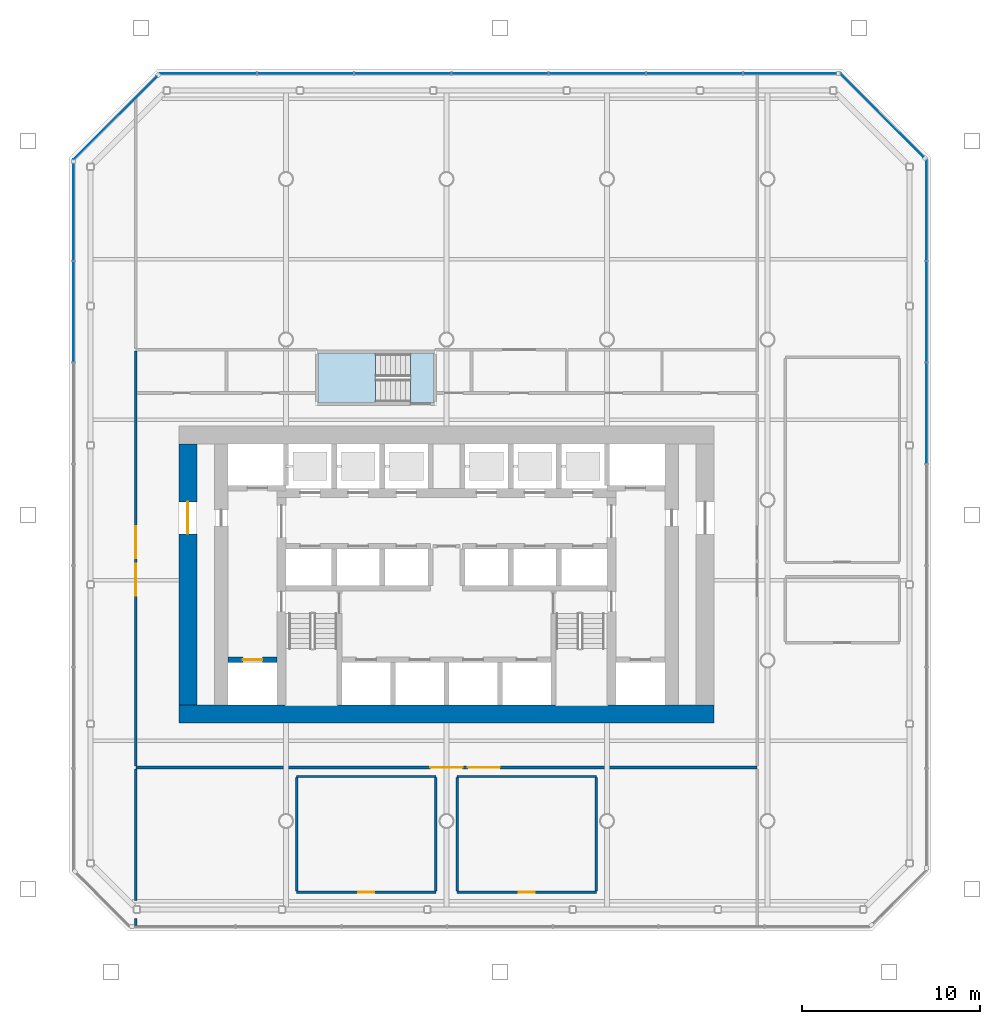
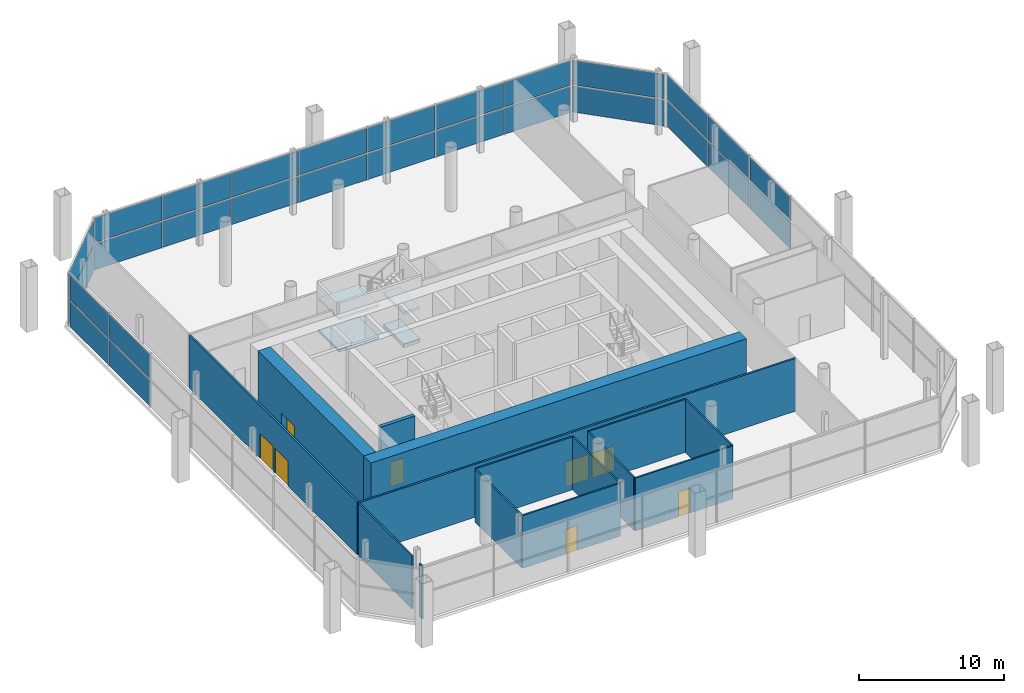
# One storey, part 8 of 13: 28 plates, 15 walls, 8 doors, 4 slabs, 8 openings, 6 elements without a shape of their own.
"""IFC4 building model written with IfcOpenShell, lengths in metres."""

import ifcopenshell
import ifcopenshell.guid

model = None  # the IFC model being written
_history = None  # IfcOwnerHistory: only IFC2X3 demands one
_inside = {}  # id of a spatial element -> (the spatial element, [elements in it])
_under = {}  # id of a project, library or spatial element -> (it, [spatial elements below it])
_declared = {}  # id of a project -> (the project, [libraries it declares])
_typed = {}  # id of a type object -> (the type object, [elements of that type])
_made_of = {}  # id of a material, layer set ... -> (it, [elements and type objects made of it])


def new_model(schema):
    """Start an empty IFC model of exactly this schema.

    Asked for "IFC4X3", IfcOpenShell would pick the latest addendum, in which some entities
    have other attributes; the version numbers below select the first issue.
    IFC2X3 requires an IfcOwnerHistory on every rooted entity: one is made here for all.
    """
    global model, _history
    if schema == "IFC4X3":
        model = ifcopenshell.file(schema_version=(4, 3, 0, 0))
    else:
        model = ifcopenshell.file(schema=schema)
    _inside.clear()
    _under.clear()
    _declared.clear()
    _typed.clear()
    _made_of.clear()
    _history = None
    if model.schema == "IFC2X3":
        org = make("IfcOrganization", Name="unknown")
        user = make(
            "IfcPersonAndOrganization",
            ThePerson=make("IfcPerson", FamilyName="unknown"),
            TheOrganization=org,
        )
        app = make(
            "IfcApplication",
            ApplicationDeveloper=org,
            Version="unknown",
            ApplicationFullName="unknown",
            ApplicationIdentifier="unknown",
        )
        _history = make(
            "IfcOwnerHistory",
            OwningUser=user,
            OwningApplication=app,
            ChangeAction="ADDED",
            CreationDate=0,
        )
    return model


def make(cls, **values):
    """One entity of the class cls with the attributes given. An attribute that is None is left unset."""
    return model.create_entity(
        cls, **{name: value for name, value in values.items() if value is not None}
    )


def rooted(cls, **values):
    """An entity with a GlobalId (a new one), such as an element, a storey or a relation."""
    return make(cls, GlobalId=ifcopenshell.guid.new(), OwnerHistory=_history, **values)


def si_unit(unit_type, name, prefix=None):
    """IfcSIUnit, for example si_unit("LENGTHUNIT", "METRE", prefix="MILLI")."""
    return make("IfcSIUnit", UnitType=unit_type, Prefix=prefix, Name=name)


def assignment(units):
    """IfcUnitAssignment: the units of a project."""
    return None if units is None else make("IfcUnitAssignment", Units=units)


def point(xyz):
    """IfcCartesianPoint."""
    return None if xyz is None else make("IfcCartesianPoint", Coordinates=xyz)


def direction(xyz):
    """IfcDirection."""
    return None if xyz is None else make("IfcDirection", DirectionRatios=xyz)


def frame(location, z_axis=None, x_axis=None):
    """IfcAxis2Placement3D, a coordinate frame: its origin and axes. An axis left out is left unset."""
    return make(
        "IfcAxis2Placement3D",
        Location=point(location),
        Axis=direction(z_axis),
        RefDirection=direction(x_axis),
    )


def frame_2d(location, x_axis=None):
    """IfcAxis2Placement2D, a coordinate frame in the plane: its origin and x axis."""
    return make(
        "IfcAxis2Placement2D", Location=point(location), RefDirection=direction(x_axis)
    )


def origin():
    """The frame at (0, 0, 0) with its axes left unset."""
    return frame((0.0, 0.0, 0.0))


def origin_2d():
    """The frame at (0, 0) in the plane with its x axis left unset."""
    return frame_2d((0.0, 0.0))


def place(relative_to, where):
    """IfcLocalPlacement: puts the frame where relative to a parent placement (None: the world)."""
    return make(
        "IfcLocalPlacement", PlacementRelTo=relative_to, RelativePlacement=where
    )


def context(
    kind, dimensions, precision=None, world=None, true_north=None, identifier=None
):
    """IfcGeometricRepresentationContext, for example the 3D "Model" context."""
    return make(
        "IfcGeometricRepresentationContext",
        ContextIdentifier=identifier,
        ContextType=kind,
        CoordinateSpaceDimension=dimensions,
        Precision=precision,
        WorldCoordinateSystem=world,
        TrueNorth=true_north,
    )


def subcontext(parent, identifier, kind, view, scale=None):
    """IfcGeometricRepresentationSubContext, for example "Body" below "Model"."""
    return make(
        "IfcGeometricRepresentationSubContext",
        ContextIdentifier=identifier,
        ContextType=kind,
        ParentContext=parent,
        TargetScale=scale,
        TargetView=view,
    )


def project(units=None, contexts=None):
    """IfcProject with its units and contexts."""
    return rooted(
        "IfcProject",
        Name="project",
        RepresentationContexts=contexts,
        UnitsInContext=assignment(units),
    )


def spatial(cls, under=None, at=None, **own):
    """A site, building, storey or space (cls), placed at a placement, below another one or the project."""
    s = rooted(cls, ObjectPlacement=at, **own)
    if under is not None:
        _under.setdefault(under.id(), (under, []))[1].append(s)
    return s


def polyline(points):
    """IfcPolyline through the points."""
    return make("IfcPolyline", Points=[point(p) for p in points])


def profile(cls, at=None, kind="AREA", **sizes):
    """A parametric profile (cls). Its sizes go by their IFC names, for example OverallWidth=200.0."""
    return make(cls, ProfileType=kind, Position=at, **sizes)


def rectangle(**sizes):
    """IfcRectangleProfileDef."""
    return profile("IfcRectangleProfileDef", **sizes)


def outline(outer, holes=None, kind="AREA"):
    """IfcArbitraryClosedProfileDef: a profile drawn as a closed curve; with holes, ...WithVoids."""
    if holes is None:
        return make("IfcArbitraryClosedProfileDef", ProfileType=kind, OuterCurve=outer)
    return make(
        "IfcArbitraryProfileDefWithVoids",
        ProfileType=kind,
        OuterCurve=outer,
        InnerCurves=holes,
    )


def extrude(swept, where, along, depth):
    """IfcExtrudedAreaSolid: the profile swept, set in the frame where, extruded along a direction by depth."""
    return make(
        "IfcExtrudedAreaSolid",
        SweptArea=swept,
        Position=where,
        ExtrudedDirection=direction(along),
        Depth=depth,
    )


def shape(context_of_items, identifier, shape_type, items):
    """IfcShapeRepresentation: the items that make up one representation, for example the "Body"."""
    return make(
        "IfcShapeRepresentation",
        ContextOfItems=context_of_items,
        RepresentationIdentifier=identifier,
        RepresentationType=shape_type,
        Items=items,
    )


def material(Name=None, Category=None):
    """IfcMaterial."""
    return make("IfcMaterial", Name=Name, Category=Category)


def layer(
    of_material, thickness, ventilated=None, Name=None, Category=None, Priority=None
):
    """IfcMaterialLayer: one layer of a wall or slab, of a material (None: an air gap)."""
    return make(
        "IfcMaterialLayer",
        Material=of_material,
        LayerThickness=thickness,
        IsVentilated=ventilated,
        Name=Name,
        Category=Category,
        Priority=Priority,
    )


def layer_set(layers, Name=None):
    """IfcMaterialLayerSet."""
    return make("IfcMaterialLayerSet", MaterialLayers=layers, LayerSetName=Name)


def made_of(thing, what):
    """Note that an element or type object is made of a material, layer set ...; save() writes the relation."""
    if what is not None:
        _made_of.setdefault(what.id(), (what, []))[1].append(thing)
    return thing


def type_object(cls, material=None, **own):
    """A type object (cls), such as IfcWallType, which elements share."""
    return made_of(rooted(cls, **own), material)


def element(
    cls,
    number,
    at=None,
    inside=None,
    cuts=None,
    type_object=None,
    material=None,
    context=None,
    identifier="Body",
    shape_type=None,
    held_by="IfcProductDefinitionShape",
    body=None,
    shapes=None,
    **own,
):
    """One element of the class cls, such as IfcWall. Its Tag is "e" and its number.

    at: its placement. inside: the storey or other place that contains it. cuts: it is an
    opening in that element (IfcRelVoidsElement). A single representation is given by context,
    identifier, shape_type and body (its items); several are given by shapes. held_by: the class
    of the entity that holds the representations. save() writes the other relations.
    """
    e = rooted(cls, Tag="e%d" % number, ObjectPlacement=at, **own)
    if body is not None:
        shapes = [shape(context, identifier, shape_type, body)]
    if shapes is not None:
        e.Representation = make(held_by, Representations=shapes)
    if inside is not None:
        _inside.setdefault(inside.id(), (inside, []))[1].append(e)
    if cuts is not None:
        rooted(
            "IfcRelVoidsElement", RelatingBuildingElement=cuts, RelatedOpeningElement=e
        )
    if type_object is not None:
        _typed.setdefault(type_object.id(), (type_object, []))[1].append(e)
    return made_of(e, material)


def fill(opening, filler):
    """IfcRelFillsElement: the door or window that sits in an opening."""
    return rooted(
        "IfcRelFillsElement",
        RelatingOpeningElement=opening,
        RelatedBuildingElement=filler,
    )


def aggregate(whole, parts):
    """IfcRelAggregates: a whole, such as a stair, and the parts it consists of."""
    return rooted("IfcRelAggregates", RelatingObject=whole, RelatedObjects=parts)


def save(model, path):
    """Write the relations noted so far, then the file.

    IfcRelAggregates (storeys below a building ...), IfcRelContainedInSpatialStructure (elements
    in a storey), IfcRelDefinesByType, IfcRelAssociatesMaterial and IfcRelDeclares: one each for
    every whole, place, type object, material and project.
    """
    for whole, parts in _under.values():
        aggregate(whole, parts)
    for where, things in _inside.values():
        rooted(
            "IfcRelContainedInSpatialStructure",
            RelatedElements=things,
            RelatingStructure=where,
        )
    for kind, things in _typed.values():
        rooted("IfcRelDefinesByType", RelatedObjects=things, RelatingType=kind)
    for what, things in _made_of.values():
        rooted("IfcRelAssociatesMaterial", RelatedObjects=things, RelatingMaterial=what)
    for by, libraries in _declared.values():
        rooted("IfcRelDeclares", RelatingContext=by, RelatedDefinitions=libraries)
    model.write(path)


model = new_model("IFC4")

# Units and contexts
model_context = context("Model", 3, precision=1e-05, world=origin(), true_north=direction((0.0, 1.0)))
body_context = subcontext(model_context, "Body", "Model", "MODEL_VIEW")
ifc_project = project(units=[si_unit("LENGTHUNIT", "METRE"), si_unit("AREAUNIT", "SQUARE_METRE"), si_unit("VOLUMEUNIT", "CUBIC_METRE"), si_unit("PLANEANGLEUNIT", "RADIAN"), si_unit("MASSUNIT", "GRAM", prefix="KILO")], contexts=[model_context])

# Site, building, storey
site_placement = place(None, origin())
site = spatial("IfcSite", under=ifc_project, at=site_placement, CompositionType="ELEMENT")
building_placement = place(site_placement, origin())
building = spatial("IfcBuilding", under=site, at=building_placement, Name="Tskaro Facet Tower", CompositionType="ELEMENT")
storey_placement = place(building_placement, frame((0.0, 0.0, 108.89990234375)))
storey = spatial("IfcBuildingStorey", under=building, at=storey_placement, Name="L26", CompositionType="ELEMENT", Elevation=108.89990234375)

# Curtain wall, plates
ifc_material_1 = material(Name="Bronze anodised aluminium 6063-T6", Category="aluminium")
curtain_wall_type = type_object("IfcCurtainWallType", Name="Bronze sky lobby curtain wall (FW4)", PredefinedType="NOTDEFINED", material=ifc_material_1)
curtain_wall_1_placement = place(storey_placement, origin())
curtain_wall_1 = element("IfcCurtainWall", 1, at=curtain_wall_1_placement, inside=storey, type_object=curtain_wall_type, Name="FW4 east facet L26", PredefinedType="NOTDEFINED")
ifc_material_2 = material(Name="Clear low-iron glass", Category="glass")
ifc_layer_1 = layer(ifc_material_2, 0.0380859375, Name="Clear low-iron glass")
ifc_layer_set_1 = layer_set([ifc_layer_1], Name="Clear low-iron glass")
plate_type = type_object("IfcPlateType", Name="FW4 bronze-tinted unit glazing 38", PredefinedType="CURTAIN_PANEL", material=ifc_layer_set_1)
plate_1_placement = place(storey_placement, frame((26.9150390625, 4.8544921875, 0.0), z_axis=(0.0, 0.0, 1.0), x_axis=(0.0, 1.0, 0.0)))
plate_1 = element("IfcPlate", 2, at=plate_1_placement, type_object=plate_type, Name="FW4 east glazing 5.1", PredefinedType="CURTAIN_PANEL", context=body_context, shape_type="SweptSolid", body=[
    extrude(rectangle(XDim=5.611328125, YDim=0.0380859375, at=origin_2d()), origin(), (0.0, 0.0, 1.0), 2.18505859375),
])
plate_2_placement = place(storey_placement, frame((26.9150390625, 4.8544921875, 2.30517578125), z_axis=(0.0, 0.0, 1.0), x_axis=(0.0, 1.0, 0.0)))
plate_2 = element("IfcPlate", 3, at=plate_2_placement, type_object=plate_type, Name="FW4 east glazing 5.2", PredefinedType="CURTAIN_PANEL", context=body_context, shape_type="SweptSolid", body=[
    extrude(rectangle(XDim=5.611328125, YDim=0.0380859375, at=origin_2d()), origin(), (0.0, 0.0, 1.0), 2.06494140625),
])
plate_3_placement = place(storey_placement, frame((26.9150390625, 10.5458984375, 0.0), z_axis=(0.0, 0.0, 1.0), x_axis=(0.0, 1.0, 0.0)))
plate_3 = element("IfcPlate", 4, at=plate_3_placement, type_object=plate_type, Name="FW4 east glazing 6.1", PredefinedType="CURTAIN_PANEL", context=body_context, shape_type="SweptSolid", body=[
    extrude(rectangle(XDim=5.611328125, YDim=0.0380859375, at=origin_2d()), origin(), (0.0, 0.0, 1.0), 2.18505859375),
])
plate_4_placement = place(storey_placement, frame((26.9150390625, 10.5458984375, 2.30517578125), z_axis=(0.0, 0.0, 1.0), x_axis=(0.0, 1.0, 0.0)))
plate_4 = element("IfcPlate", 5, at=plate_4_placement, type_object=plate_type, Name="FW4 east glazing 6.2", PredefinedType="CURTAIN_PANEL", context=body_context, shape_type="SweptSolid", body=[
    extrude(rectangle(XDim=5.611328125, YDim=0.0380859375, at=origin_2d()), origin(), (0.0, 0.0, 1.0), 2.06494140625),
])
plate_5_placement = place(storey_placement, frame((26.9150390625, 16.25732421875, 0.0), z_axis=(0.0, 0.0, 1.0), x_axis=(0.0, 1.0, 0.0)))
plate_5 = element("IfcPlate", 6, at=plate_5_placement, type_object=plate_type, Name="FW4 east glazing 7.1", PredefinedType="CURTAIN_PANEL", context=body_context, shape_type="SweptSolid", body=[
    extrude(rectangle(XDim=5.6513671875, YDim=0.0380859375, at=origin_2d()), origin(), (0.0, 0.0, 1.0), 2.18505859375),
])
plate_6_placement = place(storey_placement, frame((26.9150390625, 16.25732421875, 2.30517578125), z_axis=(0.0, 0.0, 1.0), x_axis=(0.0, 1.0, 0.0)))
plate_6 = element("IfcPlate", 7, at=plate_6_placement, type_object=plate_type, Name="FW4 east glazing 7.2", PredefinedType="CURTAIN_PANEL", context=body_context, shape_type="SweptSolid", body=[
    extrude(rectangle(XDim=5.6513671875, YDim=0.0380859375, at=origin_2d()), origin(), (0.0, 0.0, 1.0), 2.06494140625),
])
aggregate(curtain_wall_1, [plate_1, plate_2, plate_3, plate_4, plate_5, plate_6])

curtain_wall_2_placement = place(storey_placement, origin())
curtain_wall_2 = element("IfcCurtainWall", 8, at=curtain_wall_2_placement, inside=storey, type_object=curtain_wall_type, Name="FW4 north-east facet L26", PredefinedType="NOTDEFINED")
plate_7_placement = place(storey_placement, frame((24.421142578125, 21.57666015625, 0.0), z_axis=(0.0, 0.0, 1.0), x_axis=(-0.707106781187, 0.707106781187, 0.0)))
plate_7 = element("IfcPlate", 9, at=plate_7_placement, type_object=plate_type, Name="FW4 north-east glazing 1.1", PredefinedType="CURTAIN_PANEL", context=body_context, shape_type="SweptSolid", body=[
    extrude(rectangle(XDim=6.613525390625, YDim=0.0380859375, at=origin_2d()), origin(), (0.0, 0.0, 1.0), 2.18505859375),
])
plate_8_placement = place(storey_placement, frame((24.421142578125, 21.57666015625, 2.30517578125), z_axis=(0.0, 0.0, 1.0), x_axis=(-0.707106781187, 0.707106781187, 0.0)))
plate_8 = element("IfcPlate", 10, at=plate_8_placement, type_object=plate_type, Name="FW4 north-east glazing 1.2", PredefinedType="CURTAIN_PANEL", context=body_context, shape_type="SweptSolid", body=[
    extrude(rectangle(XDim=6.613525390625, YDim=0.0380859375, at=origin_2d()), origin(), (0.0, 0.0, 1.0), 2.06494140625),
])
aggregate(curtain_wall_2, [plate_7, plate_8])

curtain_wall_3_placement = place(storey_placement, origin())
curtain_wall_3 = element("IfcCurtainWall", 11, at=curtain_wall_3_placement, inside=storey, type_object=curtain_wall_type, Name="FW4 north facet L26", PredefinedType="NOTDEFINED")
plate_9_placement = place(storey_placement, frame((19.266845703125, 23.9150390625, 0.0), z_axis=(0.0, 0.0, 1.0), x_axis=(-1.0, 0.0, 0.0)))
plate_9 = element("IfcPlate", 12, at=plate_9_placement, type_object=plate_type, Name="FW4 north glazing 1.1", PredefinedType="CURTAIN_PANEL", context=body_context, shape_type="SweptSolid", body=[
    extrude(rectangle(XDim=5.1923828125, YDim=0.0380859375, at=origin_2d()), origin(), (0.0, 0.0, 1.0), 2.18505859375),
])
plate_10_placement = place(storey_placement, frame((19.266845703125, 23.9150390625, 2.30517578125), z_axis=(0.0, 0.0, 1.0), x_axis=(-1.0, 0.0, 0.0)))
plate_10 = element("IfcPlate", 13, at=plate_10_placement, type_object=plate_type, Name="FW4 north glazing 1.2", PredefinedType="CURTAIN_PANEL", context=body_context, shape_type="SweptSolid", body=[
    extrude(rectangle(XDim=5.1923828125, YDim=0.0380859375, at=origin_2d()), origin(), (0.0, 0.0, 1.0), 2.06494140625),
])
plate_11_placement = place(storey_placement, frame((13.904541015625, 23.9150390625, 0.0), z_axis=(0.0, 0.0, 1.0), x_axis=(-1.0, 0.0, 0.0)))
plate_11 = element("IfcPlate", 14, at=plate_11_placement, type_object=plate_type, Name="FW4 north glazing 2.1", PredefinedType="CURTAIN_PANEL", context=body_context, shape_type="SweptSolid", body=[
    extrude(rectangle(XDim=5.372314453125, YDim=0.0380859375, at=origin_2d()), origin(), (0.0, 0.0, 1.0), 2.18505859375),
])
plate_12_placement = place(storey_placement, frame((13.904541015625, 23.9150390625, 2.30517578125), z_axis=(0.0, 0.0, 1.0), x_axis=(-1.0, 0.0, 0.0)))
plate_12 = element("IfcPlate", 15, at=plate_12_placement, type_object=plate_type, Name="FW4 north glazing 2.2", PredefinedType="CURTAIN_PANEL", context=body_context, shape_type="SweptSolid", body=[
    extrude(rectangle(XDim=5.372314453125, YDim=0.0380859375, at=origin_2d()), origin(), (0.0, 0.0, 1.0), 2.06494140625),
])
plate_13_placement = place(storey_placement, frame((8.452392578125, 23.9150390625, 0.0), z_axis=(0.0, 0.0, 1.0), x_axis=(-1.0, 0.0, 0.0)))
plate_13 = element("IfcPlate", 16, at=plate_13_placement, type_object=plate_type, Name="FW4 north glazing 3.1", PredefinedType="CURTAIN_PANEL", context=body_context, shape_type="SweptSolid", body=[
    extrude(rectangle(XDim=5.372314453125, YDim=0.0380859375, at=origin_2d()), origin(), (0.0, 0.0, 1.0), 2.18505859375),
])
plate_14_placement = place(storey_placement, frame((8.452392578125, 23.9150390625, 2.30517578125), z_axis=(0.0, 0.0, 1.0), x_axis=(-1.0, 0.0, 0.0)))
plate_14 = element("IfcPlate", 17, at=plate_14_placement, type_object=plate_type, Name="FW4 north glazing 3.2", PredefinedType="CURTAIN_PANEL", context=body_context, shape_type="SweptSolid", body=[
    extrude(rectangle(XDim=5.372314453125, YDim=0.0380859375, at=origin_2d()), origin(), (0.0, 0.0, 1.0), 2.06494140625),
])
plate_15_placement = place(storey_placement, frame((3.0, 23.9150390625, 0.0), z_axis=(0.0, 0.0, 1.0), x_axis=(-1.0, 0.0, 0.0)))
plate_15 = element("IfcPlate", 18, at=plate_15_placement, type_object=plate_type, Name="FW4 north glazing 4.1", PredefinedType="CURTAIN_PANEL", context=body_context, shape_type="SweptSolid", body=[
    extrude(rectangle(XDim=5.372314453125, YDim=0.0380859375, at=origin_2d()), origin(), (0.0, 0.0, 1.0), 2.18505859375),
])
plate_16_placement = place(storey_placement, frame((3.0, 23.9150390625, 2.30517578125), z_axis=(0.0, 0.0, 1.0), x_axis=(-1.0, 0.0, 0.0)))
plate_16 = element("IfcPlate", 19, at=plate_16_placement, type_object=plate_type, Name="FW4 north glazing 4.2", PredefinedType="CURTAIN_PANEL", context=body_context, shape_type="SweptSolid", body=[
    extrude(rectangle(XDim=5.372314453125, YDim=0.0380859375, at=origin_2d()), origin(), (0.0, 0.0, 1.0), 2.06494140625),
])
plate_17_placement = place(storey_placement, frame((-2.452392578125, 23.9150390625, 0.0), z_axis=(0.0, 0.0, 1.0), x_axis=(-1.0, 0.0, 0.0)))
plate_17 = element("IfcPlate", 20, at=plate_17_placement, type_object=plate_type, Name="FW4 north glazing 5.1", PredefinedType="CURTAIN_PANEL", context=body_context, shape_type="SweptSolid", body=[
    extrude(rectangle(XDim=5.372314453125, YDim=0.0380859375, at=origin_2d()), origin(), (0.0, 0.0, 1.0), 2.18505859375),
])
plate_18_placement = place(storey_placement, frame((-2.452392578125, 23.9150390625, 2.30517578125), z_axis=(0.0, 0.0, 1.0), x_axis=(-1.0, 0.0, 0.0)))
plate_18 = element("IfcPlate", 21, at=plate_18_placement, type_object=plate_type, Name="FW4 north glazing 5.2", PredefinedType="CURTAIN_PANEL", context=body_context, shape_type="SweptSolid", body=[
    extrude(rectangle(XDim=5.372314453125, YDim=0.0380859375, at=origin_2d()), origin(), (0.0, 0.0, 1.0), 2.06494140625),
])
plate_19_placement = place(storey_placement, frame((-7.904541015625, 23.9150390625, 0.0), z_axis=(0.0, 0.0, 1.0), x_axis=(-1.0, 0.0, 0.0)))
plate_19 = element("IfcPlate", 22, at=plate_19_placement, type_object=plate_type, Name="FW4 north glazing 6.1", PredefinedType="CURTAIN_PANEL", context=body_context, shape_type="SweptSolid", body=[
    extrude(rectangle(XDim=5.372314453125, YDim=0.0380859375, at=origin_2d()), origin(), (0.0, 0.0, 1.0), 2.18505859375),
])
plate_20_placement = place(storey_placement, frame((-7.904541015625, 23.9150390625, 2.30517578125), z_axis=(0.0, 0.0, 1.0), x_axis=(-1.0, 0.0, 0.0)))
plate_20 = element("IfcPlate", 23, at=plate_20_placement, type_object=plate_type, Name="FW4 north glazing 6.2", PredefinedType="CURTAIN_PANEL", context=body_context, shape_type="SweptSolid", body=[
    extrude(rectangle(XDim=5.372314453125, YDim=0.0380859375, at=origin_2d()), origin(), (0.0, 0.0, 1.0), 2.06494140625),
])
plate_21_placement = place(storey_placement, frame((-13.376953125, 23.9150390625, 0.0), z_axis=(0.0, 0.0, 1.0), x_axis=(-1.0, 0.0, 0.0)))
plate_21 = element("IfcPlate", 24, at=plate_21_placement, type_object=plate_type, Name="FW4 north glazing 7.1", PredefinedType="CURTAIN_PANEL", context=body_context, shape_type="SweptSolid", body=[
    extrude(rectangle(XDim=5.412353515625, YDim=0.0380859375, at=origin_2d()), origin(), (0.0, 0.0, 1.0), 2.18505859375),
])
plate_22_placement = place(storey_placement, frame((-13.376953125, 23.9150390625, 2.30517578125), z_axis=(0.0, 0.0, 1.0), x_axis=(-1.0, 0.0, 0.0)))
plate_22 = element("IfcPlate", 25, at=plate_22_placement, type_object=plate_type, Name="FW4 north glazing 7.2", PredefinedType="CURTAIN_PANEL", context=body_context, shape_type="SweptSolid", body=[
    extrude(rectangle(XDim=5.412353515625, YDim=0.0380859375, at=origin_2d()), origin(), (0.0, 0.0, 1.0), 2.06494140625),
])
aggregate(curtain_wall_3, [plate_9, plate_10, plate_11, plate_12, plate_13, plate_14, plate_15, plate_16, plate_17, plate_18, plate_19, plate_20, plate_21, plate_22])

curtain_wall_4_placement = place(storey_placement, origin())
curtain_wall_4 = element("IfcCurtainWall", 26, at=curtain_wall_4_placement, inside=storey, type_object=curtain_wall_type, Name="FW4 north-west facet L26", PredefinedType="NOTDEFINED")
plate_23_placement = place(storey_placement, frame((-18.57666015625, 21.421142578125, 0.0), z_axis=(0.0, 0.0, 1.0), x_axis=(-0.707106781187, -0.707106781187, 0.0)))
plate_23 = element("IfcPlate", 27, at=plate_23_placement, type_object=plate_type, Name="FW4 north-west glazing 1.1", PredefinedType="CURTAIN_PANEL", context=body_context, shape_type="SweptSolid", body=[
    extrude(rectangle(XDim=6.613525390625, YDim=0.0380859375, at=origin_2d()), origin(), (0.0, 0.0, 1.0), 2.18505859375),
])
plate_24_placement = place(storey_placement, frame((-18.57666015625, 21.421142578125, 2.30517578125), z_axis=(0.0, 0.0, 1.0), x_axis=(-0.707106781187, -0.707106781187, 0.0)))
plate_24 = element("IfcPlate", 28, at=plate_24_placement, type_object=plate_type, Name="FW4 north-west glazing 1.2", PredefinedType="CURTAIN_PANEL", context=body_context, shape_type="SweptSolid", body=[
    extrude(rectangle(XDim=6.613525390625, YDim=0.0380859375, at=origin_2d()), origin(), (0.0, 0.0, 1.0), 2.06494140625),
])
aggregate(curtain_wall_4, [plate_23, plate_24])

curtain_wall_5_placement = place(storey_placement, origin())
curtain_wall_5 = element("IfcCurtainWall", 29, at=curtain_wall_5_placement, inside=storey, type_object=curtain_wall_type, Name="FW4 west facet L26", PredefinedType="NOTDEFINED")
plate_25_placement = place(storey_placement, frame((-20.9150390625, 16.147216796875, 0.0), z_axis=(0.0, 0.0, 1.0), x_axis=(0.0, -1.0, 0.0)))
plate_25 = element("IfcPlate", 30, at=plate_25_placement, type_object=plate_type, Name="FW4 west glazing 1.1", PredefinedType="CURTAIN_PANEL", context=body_context, shape_type="SweptSolid", body=[
    extrude(rectangle(XDim=5.431396484375, YDim=0.0380859375, at=origin_2d()), origin(), (0.0, 0.0, 1.0), 2.18505859375),
])
plate_26_placement = place(storey_placement, frame((-20.9150390625, 16.147216796875, 2.30517578125), z_axis=(0.0, 0.0, 1.0), x_axis=(0.0, -1.0, 0.0)))
plate_26 = element("IfcPlate", 31, at=plate_26_placement, type_object=plate_type, Name="FW4 west glazing 1.2", PredefinedType="CURTAIN_PANEL", context=body_context, shape_type="SweptSolid", body=[
    extrude(rectangle(XDim=5.431396484375, YDim=0.0380859375, at=origin_2d()), origin(), (0.0, 0.0, 1.0), 2.06494140625),
])
plate_27_placement = place(storey_placement, frame((-20.9150390625, 10.5458984375, 0.0), z_axis=(0.0, 0.0, 1.0), x_axis=(0.0, -1.0, 0.0)))
plate_27 = element("IfcPlate", 32, at=plate_27_placement, type_object=plate_type, Name="FW4 west glazing 2.1", PredefinedType="CURTAIN_PANEL", context=body_context, shape_type="SweptSolid", body=[
    extrude(rectangle(XDim=5.611328125, YDim=0.0380859375, at=origin_2d()), origin(), (0.0, 0.0, 1.0), 2.18505859375),
])
plate_28_placement = place(storey_placement, frame((-20.9150390625, 10.5458984375, 2.30517578125), z_axis=(0.0, 0.0, 1.0), x_axis=(0.0, -1.0, 0.0)))
plate_28 = element("IfcPlate", 33, at=plate_28_placement, type_object=plate_type, Name="FW4 west glazing 2.2", PredefinedType="CURTAIN_PANEL", context=body_context, shape_type="SweptSolid", body=[
    extrude(rectangle(XDim=5.611328125, YDim=0.0380859375, at=origin_2d()), origin(), (0.0, 0.0, 1.0), 2.06494140625),
])
aggregate(curtain_wall_5, [plate_25, plate_26, plate_27, plate_28])

# Stair, slabs
ifc_material_3 = material(Name="Concrete C40/50", Category="concrete")
stair_type = type_object("IfcStairType", Name="ST-TWR", PredefinedType="HALF_TURN_STAIR", material=ifc_material_3)
stair_placement = place(storey_placement, origin())
stair = element("IfcStair", 34, at=stair_placement, inside=storey, type_object=stair_type, Name="L26 Exit stair 3", PredefinedType="HALF_TURN_STAIR")
ifc_layer_2 = layer(ifc_material_3, 0.199951171875, Name="Concrete C40/50")
ifc_layer_set_2 = layer_set([ifc_layer_2], Name="Concrete C40/50")
slab_type_1 = type_object("IfcSlabType", Name="SL-LANDING", PredefinedType="LANDING", material=ifc_layer_set_2)
slab_1_placement = place(storey_placement, frame((0.0, 0.0, 1.150146484375)))
slab_1 = element("IfcSlab", 35, at=slab_1_placement, type_object=slab_type_1, Name="ST-3 landing 1", PredefinedType="LANDING", context=body_context, shape_type="SweptSolid", body=[
    extrude(outline(polyline([(-7.199951171875, 5.449951171875), (-3.985107421875, 5.449951171875), (-3.985107421875, 8.25), (-7.199951171875, 8.25), (-7.199951171875, 5.449951171875)])), origin(), (0.0, 0.0, 1.0), 0.199951171875),
])
slab_2_placement = place(storey_placement, frame((0.0, 0.0, 2.5)))
slab_2 = element("IfcSlab", 36, at=slab_2_placement, type_object=slab_type_1, Name="ST-3 landing 2", PredefinedType="LANDING", context=body_context, shape_type="SweptSolid", body=[
    extrude(outline(polyline([(-2.02490234375, 5.449951171875), (-0.699951171875, 5.449951171875), (-0.699951171875, 8.25), (-2.02490234375, 8.25), (-2.02490234375, 5.449951171875)])), origin(), (0.0, 0.0, 1.0), 0.2001953125),
])
slab_3_placement = place(storey_placement, frame((0.0, 0.0, 3.85009765625)))
slab_3 = element("IfcSlab", 37, at=slab_3_placement, type_object=slab_type_1, Name="ST-3 landing 3", PredefinedType="LANDING", context=body_context, shape_type="SweptSolid", body=[
    extrude(outline(polyline([(-7.199951171875, 5.449951171875), (-3.985107421875, 5.449951171875), (-3.985107421875, 8.25), (-7.199951171875, 8.25), (-7.199951171875, 5.449951171875)])), origin(), (0.0, 0.0, 1.0), 0.199951171875),
])
aggregate(stair, [slab_1, slab_2, slab_3])

# Slab
ifc_material_4 = material(Name="Concrete C60/75", Category="concrete")
ifc_layer_3 = layer(ifc_material_4, 0.300048828125, Name="Concrete C60/75")
ifc_layer_set_3 = layer_set([ifc_layer_3], Name="Concrete C60/75")
slab_type_2 = type_object("IfcSlabType", Name="SLAB-CORE", PredefinedType="FLOOR", material=ifc_layer_set_3)
slab_4_placement = place(storey_placement, frame((0.0, 0.0, -0.2998046875)))
element("IfcSlab", 38, at=slab_4_placement, inside=storey, type_object=slab_type_2, Name="Stair 3 floor landing 1", PredefinedType="FLOOR", context=body_context, shape_type="SweptSolid", body=[
    extrude(outline(polyline([(-2.02490234375, 5.449951171875), (-0.699951171875, 5.449951171875), (-0.699951171875, 8.25), (-2.02490234375, 8.25), (-2.02490234375, 5.449951171875)])), origin(), (0.0, 0.0, 1.0), 0.2998046875),
])

# Wall, opening, door
ifc_layer_4 = layer(ifc_material_4, 0.300048828125, Name="Concrete C60/75")
ifc_layer_set_4 = layer_set([ifc_layer_4], Name="Concrete C60/75")
wall_type_1 = type_object("IfcWallType", Name="CORE-SHAFT", PredefinedType="SHEAR", material=ifc_layer_set_4)
wall_1_placement = place(storey_placement, frame((-12.25, -8.949951171875, 0.0), z_axis=(0.0, 0.0, 1.0), x_axis=(1.0, 0.0, 0.0)))
wall_1 = element("IfcWall", 39, at=wall_1_placement, inside=storey, type_object=wall_type_1, Name="Shaft wall W006", PredefinedType="SHEAR", context=body_context, shape_type="SweptSolid", body=[
    extrude(rectangle(XDim=2.75, YDim=0.300048828125, at=frame_2d((1.375, 0.0))), origin(), (0.0, 0.0, 1.0), 5.400146484375),
])
opening_1_placement = place(wall_1_placement, frame((0.824951171875, 0.0, 0.0)))
opening_1 = element("IfcOpeningElement", 40, at=opening_1_placement, cuts=wall_1, Name="Opening LD-SHWS", PredefinedType="OPENING", context=body_context, shape_type="SweptSolid", body=[
    extrude(rectangle(XDim=1.10009765625, YDim=2.10009765625, at=frame_2d((0.550048828125, 1.050048828125))), frame((0.0, 0.159912109375, 0.0), z_axis=(0.0, -1.0, 0.0), x_axis=(1.0, 0.0, 0.0)), (0.0, 0.0, 1.0), 0.320068359375),
])
ifc_material_5 = material(Name="Stainless steel", Category="steel")
door_type_1 = type_object("IfcDoorType", Name="D-LANDING", OperationType="NOTDEFINED", PredefinedType="DOOR", material=ifc_material_5)
door_1_placement = place(opening_1_placement, origin())
door_1 = element("IfcDoor", 41, at=door_1_placement, inside=storey, type_object=door_type_1, Name="Landing door shuttle W1", OperationType="DOUBLE_DOOR_SLIDING", OverallHeight=2.10009765625, OverallWidth=1.10009765625, PredefinedType="DOOR", context=body_context, shape_type="SweptSolid", body=[
    extrude(rectangle(XDim=1.10009765625, YDim=2.10009765625, at=frame_2d((0.550048828125, 1.050048828125))), frame((0.0, 0.02490234375, 0.0), z_axis=(0.0, -1.0, 0.0), x_axis=(1.0, 0.0, 0.0)), (0.0, 0.0, 1.0), 0.050048828125),
])
fill(opening_1, door_1)

# Wall
ifc_layer_5 = layer(ifc_material_4, 1.0, Name="Concrete C60/75")
ifc_layer_set_5 = layer_set([ifc_layer_5], Name="Concrete C60/75")
wall_type_2 = type_object("IfcWallType", Name="Core wall 1000", PredefinedType="SHEAR", material=ifc_layer_set_5)
wall_2_placement = place(storey_placement, frame((-15.0, -12.0, 0.0), z_axis=(0.0, 0.0, 1.0), x_axis=(1.0, 0.0, 0.0)))
element("IfcWall", 42, at=wall_2_placement, inside=storey, type_object=wall_type_2, Name="Core wall CW-Z1S", PredefinedType="SHEAR", context=body_context, shape_type="SweptSolid", body=[
    extrude(rectangle(XDim=30.0, YDim=1.0, at=frame_2d((15.0, 0.0))), origin(), (0.0, 0.0, 1.0), 5.400146484375),
])

# Wall, opening, door
wall_3_placement = place(storey_placement, frame((-14.5, -11.5, 0.0), z_axis=(0.0, 0.0, 1.0), x_axis=(0.0, 1.0, 0.0)))
wall_3 = element("IfcWall", 43, at=wall_3_placement, inside=storey, type_object=wall_type_2, Name="Core wall CW-Z1W", PredefinedType="SHEAR", context=body_context, shape_type="SweptSolid", body=[
    extrude(rectangle(XDim=14.64990234375, YDim=1.0, at=frame_2d((7.324951171875, 0.0))), origin(), (0.0, 0.0, 1.0), 5.400146484375),
])
opening_2_placement = place(wall_3_placement, frame((9.60009765625, 0.0, 0.0)))
opening_2 = element("IfcOpeningElement", 44, at=opening_2_placement, cuts=wall_3, Name="Opening S26-D13", PredefinedType="OPENING", context=body_context, shape_type="SweptSolid", body=[
    extrude(rectangle(XDim=1.800048828125, YDim=2.10009765625, at=frame_2d((0.89990234375, 1.050048828125))), frame((0.0, 0.510009765625, 0.0), z_axis=(0.0, -1.0, 0.0), x_axis=(1.0, 0.0, 0.0)), (0.0, 0.0, 1.0), 1.02001953125),
])
ifc_material_6 = material(Name="Steel", Category="steel")
door_type_2 = type_object("IfcDoorType", Name="D-CORE-PAIR", OperationType="NOTDEFINED", PredefinedType="DOOR", material=ifc_material_6)
door_2_placement = place(opening_2_placement, origin())
door_2 = element("IfcDoor", 45, at=door_2_placement, inside=storey, type_object=door_type_2, Name="Door S26-D13", OperationType="DOUBLE_DOOR_SINGLE_SWING", OverallHeight=2.10009765625, OverallWidth=1.800048828125, PredefinedType="DOOR", context=body_context, shape_type="SweptSolid", body=[
    extrude(rectangle(XDim=1.800048828125, YDim=2.10009765625, at=frame_2d((0.89990234375, 1.050048828125))), frame((0.0, 0.02490234375, 0.0), z_axis=(0.0, -1.0, 0.0), x_axis=(1.0, 0.0, 0.0)), (0.0, 0.0, 1.0), 0.050048828125),
])
fill(opening_2, door_2)

ifc_material_7 = material(Name="Gypsum board on steel studs", Category="steel")
ifc_layer_6 = layer(ifc_material_7, 0.125, Name="Gypsum board on steel studs")
ifc_layer_set_6 = layer_set([ifc_layer_6], Name="Gypsum board on steel studs")
wall_type_3 = type_object("IfcWallType", Name="PART", PredefinedType="PARTITIONING", material=ifc_layer_set_6)
wall_4_placement = place(storey_placement, frame((-8.39990234375, -22.0, 0.0), z_axis=(0.0, 0.0, 1.0), x_axis=(1.0, 0.0, 0.0)))
wall_4 = element("IfcWall", 46, at=wall_4_placement, inside=storey, type_object=wall_type_3, Name="Partition W001", PredefinedType="PARTITIONING", context=body_context, shape_type="SweptSolid", body=[
    extrude(rectangle(XDim=7.7998046875, YDim=0.125, at=frame_2d((3.89990234375, 0.0))), origin(), (0.0, 0.0, 1.0), 4.460205078125),
])
opening_3_placement = place(wall_4_placement, frame((3.449951171875, 0.0, 0.0)))
opening_3 = element("IfcOpeningElement", 47, at=opening_3_placement, cuts=wall_4, Name="Opening S26-D01", PredefinedType="OPENING", context=body_context, shape_type="SweptSolid", body=[
    extrude(rectangle(XDim=0.89990234375, YDim=2.10009765625, at=frame_2d((0.449951171875, 1.050048828125))), frame((0.0, 0.072509765625, 0.0), z_axis=(0.0, -1.0, 0.0), x_axis=(1.0, 0.0, 0.0)), (0.0, 0.0, 1.0), 0.14501953125),
])
ifc_material_8 = material(Name="Timber", Category="wood")
door_type_3 = type_object("IfcDoorType", Name="D-ROOM", OperationType="NOTDEFINED", PredefinedType="DOOR", material=ifc_material_8)
door_3_placement = place(opening_3_placement, origin())
door_3 = element("IfcDoor", 48, at=door_3_placement, inside=storey, type_object=door_type_3, Name="Door S26-D01", OperationType="SINGLE_SWING_LEFT", OverallHeight=2.10009765625, OverallWidth=0.89990234375, PredefinedType="DOOR", context=body_context, shape_type="SweptSolid", body=[
    extrude(rectangle(XDim=0.89990234375, YDim=2.10009765625, at=frame_2d((0.449951171875, 1.050048828125))), frame((0.0, 0.02490234375, 0.0), z_axis=(0.0, -1.0, 0.0), x_axis=(1.0, 0.0, 0.0)), (0.0, 0.0, 1.0), 0.050048828125),
])
fill(opening_3, door_3)

wall_5_placement = place(storey_placement, frame((0.60009765625, -22.0, 0.0), z_axis=(0.0, 0.0, 1.0), x_axis=(1.0, 0.0, 0.0)))
wall_5 = element("IfcWall", 49, at=wall_5_placement, inside=storey, type_object=wall_type_3, Name="Partition W002", PredefinedType="PARTITIONING", context=body_context, shape_type="SweptSolid", body=[
    extrude(rectangle(XDim=7.7998046875, YDim=0.125, at=frame_2d((3.89990234375, 0.0))), origin(), (0.0, 0.0, 1.0), 4.460205078125),
])
opening_4_placement = place(wall_5_placement, frame((3.449951171875, 0.0, 0.0)))
opening_4 = element("IfcOpeningElement", 50, at=opening_4_placement, cuts=wall_5, Name="Opening S26-D02", PredefinedType="OPENING", context=body_context, shape_type="SweptSolid", body=[
    extrude(rectangle(XDim=0.89990234375, YDim=2.10009765625, at=frame_2d((0.449951171875, 1.050048828125))), frame((0.0, 0.072509765625, 0.0), z_axis=(0.0, -1.0, 0.0), x_axis=(1.0, 0.0, 0.0)), (0.0, 0.0, 1.0), 0.14501953125),
])
door_4_placement = place(opening_4_placement, origin())
door_4 = element("IfcDoor", 51, at=door_4_placement, inside=storey, type_object=door_type_3, Name="Door S26-D02", OperationType="SINGLE_SWING_LEFT", OverallHeight=2.10009765625, OverallWidth=0.89990234375, PredefinedType="DOOR", context=body_context, shape_type="SweptSolid", body=[
    extrude(rectangle(XDim=0.89990234375, YDim=2.10009765625, at=frame_2d((0.449951171875, 1.050048828125))), frame((0.0, 0.02490234375, 0.0), z_axis=(0.0, -1.0, 0.0), x_axis=(1.0, 0.0, 0.0)), (0.0, 0.0, 1.0), 0.050048828125),
])
fill(opening_4, door_4)

# Walls
for number, where, z_axis, x_axis, name in (
    (52, (-8.39990234375, -15.5, 0.0), (0.0, 0.0, 1.0), (1.0, 0.0, 0.0), "Partition W003"),
    (53, (0.60009765625, -15.5, 0.0), (0.0, 0.0, 1.0), (1.0, 0.0, 0.0), "Partition W004"),
):
    element("IfcWall", number, at=place(storey_placement, frame(where, z_axis=z_axis, x_axis=x_axis)), inside=storey, type_object=wall_type_3, Name=name, PredefinedType="PARTITIONING", context=body_context, shape_type="SweptSolid", body=[
        extrude(rectangle(XDim=7.7998046875, YDim=0.125, at=frame_2d((3.89990234375, 0.0))), origin(), (0.0, 0.0, 1.0), 4.460205078125),
    ])
wall_6_placement = place(storey_placement, frame((-17.425048828125, -23.864990234375, 0.0), z_axis=(0.0, 0.0, 1.0), x_axis=(0.0, 1.0, 0.0)))
element("IfcWall", 54, at=wall_6_placement, inside=storey, type_object=wall_type_3, Name="Partition W027", PredefinedType="PARTITIONING", context=body_context, shape_type="SweptSolid", body=[
    extrude(rectangle(XDim=0.39990234375, YDim=0.125, at=frame_2d((0.199951171875, 0.0))), origin(), (0.0, 0.0, 1.0), 4.460205078125),
])
wall_7_placement = place(storey_placement, frame((-17.425048828125, -22.465087890625, 0.0), z_axis=(0.0, 0.0, 1.0), x_axis=(0.0, 1.0, 0.0)))
element("IfcWall", 55, at=wall_7_placement, inside=storey, type_object=wall_type_3, Name="Partition W028", PredefinedType="PARTITIONING", context=body_context, shape_type="SweptSolid", body=[
    extrude(rectangle(XDim=7.39013671875, YDim=0.125, at=frame_2d((3.695068359375, 0.0))), origin(), (0.0, 0.0, 1.0), 4.460205078125),
])
for number, where, z_axis, x_axis, name in (
    (56, (-8.39990234375, -21.9375, 0.0), (0.0, 0.0, 1.0), (0.0, 1.0, 0.0), "Partition W033"),
    (57, (-0.60009765625, -21.9375, 0.0), (0.0, 0.0, 1.0), (0.0, 1.0, 0.0), "Partition W044"),
    (58, (0.60009765625, -21.9375, 0.0), (0.0, 0.0, 1.0), (0.0, 1.0, 0.0), "Partition W046"),
    (59, (8.39990234375, -21.9375, 0.0), (0.0, 0.0, 1.0), (0.0, 1.0, 0.0), "Partition W057"),
):
    element("IfcWall", number, at=place(storey_placement, frame(where, z_axis=z_axis, x_axis=x_axis)), inside=storey, type_object=wall_type_3, Name=name, PredefinedType="PARTITIONING", context=body_context, shape_type="SweptSolid", body=[
        extrude(rectangle(XDim=6.375, YDim=0.125, at=frame_2d((3.1875, 0.0))), origin(), (0.0, 0.0, 1.0), 4.460205078125),
    ])

# Wall, openings, doors
ifc_layer_7 = layer(ifc_material_7, 0.14990234375, Name="Gypsum board on steel studs")
ifc_layer_set_7 = layer_set([ifc_layer_7], Name="Gypsum board on steel studs")
wall_type_4 = type_object("IfcWallType", Name="PART-CORR", PredefinedType="PARTITIONING", material=ifc_layer_set_7)
wall_8_placement = place(storey_placement, frame((-17.425048828125, -15.0, 0.0), z_axis=(0.0, 0.0, 1.0), x_axis=(1.0, 0.0, 0.0)))
wall_8 = element("IfcWall", 60, at=wall_8_placement, inside=storey, type_object=wall_type_4, Name="Corridor wall W005", PredefinedType="PARTITIONING", context=body_context, shape_type="SweptSolid", body=[
    extrude(rectangle(XDim=34.85009765625, YDim=0.14990234375, at=frame_2d((17.425048828125, 0.0))), origin(), (0.0, 0.0, 1.0), 4.460205078125),
])
opening_5_placement = place(wall_8_placement, frame((16.52490234375, 0.0, 0.0)))
opening_5 = element("IfcOpeningElement", 61, at=opening_5_placement, cuts=wall_8, Name="Opening S26-D03", PredefinedType="OPENING", context=body_context, shape_type="SweptSolid", body=[
    extrude(rectangle(XDim=1.800048828125, YDim=2.10009765625, at=frame_2d((0.89990234375, 1.050048828125))), frame((0.0, 0.0849609375, 0.0), z_axis=(0.0, -1.0, 0.0), x_axis=(1.0, 0.0, 0.0)), (0.0, 0.0, 1.0), 0.169921875),
])
opening_6_placement = place(wall_8_placement, frame((18.625, 0.0, 0.0)))
opening_6 = element("IfcOpeningElement", 62, at=opening_6_placement, cuts=wall_8, Name="Opening S26-D04", PredefinedType="OPENING", context=body_context, shape_type="SweptSolid", body=[
    extrude(rectangle(XDim=1.800048828125, YDim=2.10009765625, at=frame_2d((0.89990234375, 1.050048828125))), frame((0.0, 0.0849609375, 0.0), z_axis=(0.0, -1.0, 0.0), x_axis=(1.0, 0.0, 0.0)), (0.0, 0.0, 1.0), 0.169921875),
])
ifc_material_9 = material(Name="Glass", Category="glass")
door_type_4 = type_object("IfcDoorType", Name="D-ENTRY-PAIR", OperationType="NOTDEFINED", PredefinedType="DOOR", material=ifc_material_9)
door_5_placement = place(opening_5_placement, origin())
door_5 = element("IfcDoor", 63, at=door_5_placement, inside=storey, type_object=door_type_4, Name="Door S26-D03", OperationType="DOUBLE_DOOR_SINGLE_SWING", OverallHeight=2.10009765625, OverallWidth=1.800048828125, PredefinedType="DOOR", context=body_context, shape_type="SweptSolid", body=[
    extrude(rectangle(XDim=1.800048828125, YDim=2.10009765625, at=frame_2d((0.89990234375, 1.050048828125))), frame((0.0, 0.02490234375, 0.0), z_axis=(0.0, -1.0, 0.0), x_axis=(1.0, 0.0, 0.0)), (0.0, 0.0, 1.0), 0.050048828125),
])
fill(opening_5, door_5)
door_6_placement = place(opening_6_placement, origin())
door_6 = element("IfcDoor", 64, at=door_6_placement, inside=storey, type_object=door_type_4, Name="Door S26-D04", OperationType="DOUBLE_DOOR_SINGLE_SWING", OverallHeight=2.10009765625, OverallWidth=1.800048828125, PredefinedType="DOOR", context=body_context, shape_type="SweptSolid", body=[
    extrude(rectangle(XDim=1.800048828125, YDim=2.10009765625, at=frame_2d((0.89990234375, 1.050048828125))), frame((0.0, 0.02490234375, 0.0), z_axis=(0.0, -1.0, 0.0), x_axis=(1.0, 0.0, 0.0)), (0.0, 0.0, 1.0), 0.050048828125),
])
fill(opening_6, door_6)

wall_9_placement = place(storey_placement, frame((-17.425048828125, 8.35009765625, 0.0), z_axis=(0.0, 0.0, 1.0), x_axis=(0.0, -1.0, 0.0)))
wall_9 = element("IfcWall", 65, at=wall_9_placement, inside=storey, type_object=wall_type_4, Name="Corridor wall W029", PredefinedType="PARTITIONING", context=body_context, shape_type="SweptSolid", body=[
    extrude(rectangle(XDim=23.275146484375, YDim=0.14990234375, at=frame_2d((11.6376953125, 0.0))), origin(), (0.0, 0.0, 1.0), 4.460205078125),
])
opening_7_placement = place(wall_9_placement, frame((11.91259765625, 0.0, 0.0)))
opening_7 = element("IfcOpeningElement", 66, at=opening_7_placement, cuts=wall_9, Name="Opening S26-D07", PredefinedType="OPENING", context=body_context, shape_type="SweptSolid", body=[
    extrude(rectangle(XDim=1.800048828125, YDim=2.10009765625, at=frame_2d((0.89990234375, 1.050048828125))), frame((0.0, 0.0849609375, 0.0), z_axis=(0.0, -1.0, 0.0), x_axis=(1.0, 0.0, 0.0)), (0.0, 0.0, 1.0), 0.169921875),
])
opening_8_placement = place(wall_9_placement, frame((9.8125, 0.0, 0.0)))
opening_8 = element("IfcOpeningElement", 67, at=opening_8_placement, cuts=wall_9, Name="Opening S26-D10", PredefinedType="OPENING", context=body_context, shape_type="SweptSolid", body=[
    extrude(rectangle(XDim=1.800048828125, YDim=2.10009765625, at=frame_2d((0.89990234375, 1.050048828125))), frame((0.0, 0.0849609375, 0.0), z_axis=(0.0, -1.0, 0.0), x_axis=(1.0, 0.0, 0.0)), (0.0, 0.0, 1.0), 0.169921875),
])
door_7_placement = place(opening_7_placement, origin())
door_7 = element("IfcDoor", 68, at=door_7_placement, inside=storey, type_object=door_type_4, Name="Door S26-D07", OperationType="DOUBLE_DOOR_SINGLE_SWING", OverallHeight=2.10009765625, OverallWidth=1.800048828125, PredefinedType="DOOR", context=body_context, shape_type="SweptSolid", body=[
    extrude(rectangle(XDim=1.800048828125, YDim=2.10009765625, at=frame_2d((0.89990234375, 1.050048828125))), frame((0.0, 0.02490234375, 0.0), z_axis=(0.0, -1.0, 0.0), x_axis=(1.0, 0.0, 0.0)), (0.0, 0.0, 1.0), 0.050048828125),
])
fill(opening_7, door_7)
door_8_placement = place(opening_8_placement, origin())
door_8 = element("IfcDoor", 69, at=door_8_placement, inside=storey, type_object=door_type_4, Name="Door S26-D10", OperationType="DOUBLE_DOOR_SINGLE_SWING", OverallHeight=2.10009765625, OverallWidth=1.800048828125, PredefinedType="DOOR", context=body_context, shape_type="SweptSolid", body=[
    extrude(rectangle(XDim=1.800048828125, YDim=2.10009765625, at=frame_2d((0.89990234375, 1.050048828125))), frame((0.0, 0.02490234375, 0.0), z_axis=(0.0, -1.0, 0.0), x_axis=(1.0, 0.0, 0.0)), (0.0, 0.0, 1.0), 0.050048828125),
])
fill(opening_8, door_8)

save(model, "model.ifc")
